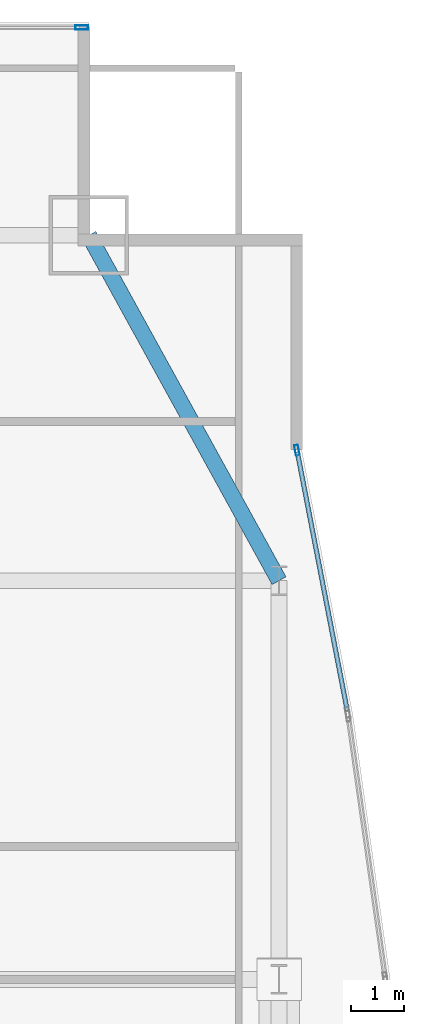
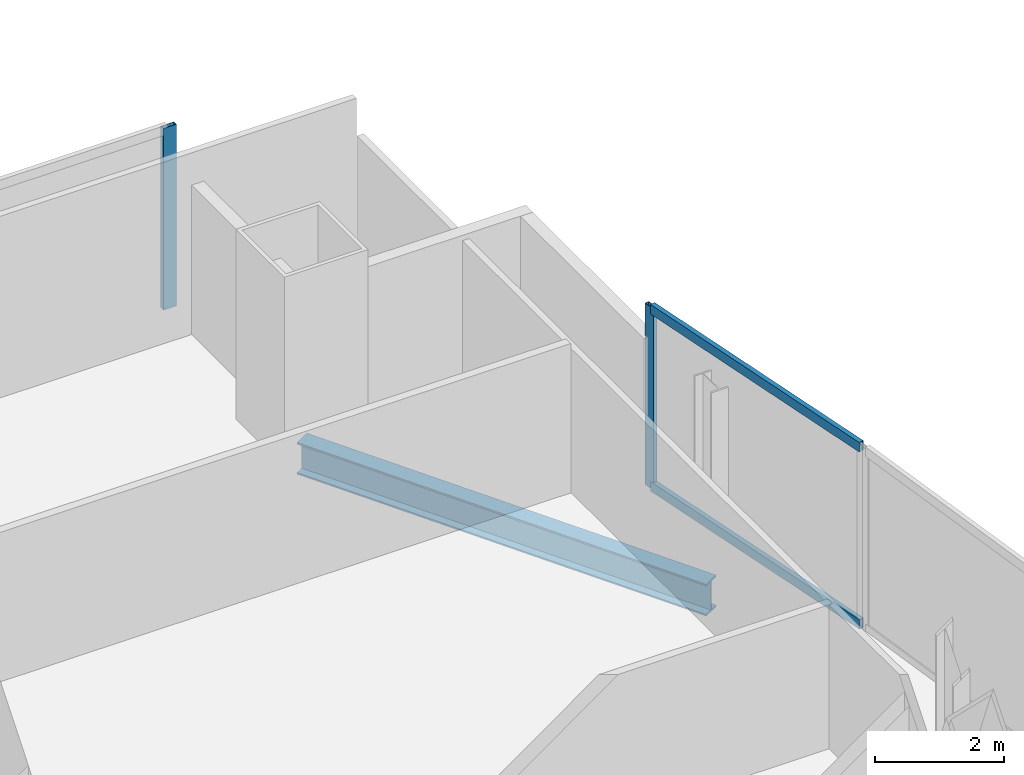
# One storey, part 24 of 33: 4 members, 1 beam, 2 elements without a shape of their own.
"""IFC4 building model written with IfcOpenShell, lengths in metres."""

from ifc_helpers import new_model, si_unit, direction, frame, origin, origin_2d, place, context, subcontext, project, spatial, hollow_rectangle, i_section, extrude, material, material_profile, profile_set, type_object, element, aggregate, save


model = new_model("IFC4")

# Units and contexts
model_context = context("Model", 3, precision=1e-05, world=origin(), true_north=direction((0.0, 1.0)))
body_context = subcontext(model_context, "Body", "Model", "MODEL_VIEW")
ifc_project = project(units=[si_unit("LENGTHUNIT", "METRE"), si_unit("AREAUNIT", "SQUARE_METRE"), si_unit("VOLUMEUNIT", "CUBIC_METRE"), si_unit("PLANEANGLEUNIT", "RADIAN"), si_unit("MASSUNIT", "GRAM", prefix="KILO")], contexts=[model_context])

# Site, building, storey
site_placement = place(None, origin())
site = spatial("IfcSite", under=ifc_project, at=site_placement, CompositionType="ELEMENT")
building_placement = place(site_placement, origin())
building = spatial("IfcBuilding", under=site, at=building_placement, Name="Khoronbel Lancet Exchange", CompositionType="ELEMENT")
storey_placement = place(building_placement, frame((0.0, 0.0, 118.199951171875)))
storey = spatial("IfcBuildingStorey", under=building, at=storey_placement, Name="L28", CompositionType="ELEMENT", Elevation=118.199951171875)

# Beam
ifc_material_1 = material(Name="Steel S355", Category="steel")
ifc_material_profile_1 = material_profile(ifc_material_1, i_section(OverallWidth=0.300048828125, OverallDepth=0.60009765625, WebThickness=0.015380859375, FlangeThickness=0.030029296875, at=origin_2d()), Name="HEB 600")
ifc_profile_set_1 = profile_set([ifc_material_profile_1], Name="Steel S355")
beam_type = type_object("IfcBeamType", Name="BM-BSP2", PredefinedType="SPANDREL", material=ifc_profile_set_1)
beam_placement = place(storey_placement, frame((69.6298828125, 43.199951171875, -0.4599609375), z_axis=(-0.482418808117, 0.875940690672, 0.0), x_axis=(-0.875940690672, -0.482418808117, 0.0)))
element("IfcBeam", 1, at=beam_placement, inside=storey, type_object=beam_type, Name="Level L28 perimeter spandrel beam SP15", PredefinedType="SPANDREL", context=body_context, shape_type="SweptSolid", body=[
    extrude(i_section(OverallWidth=0.300048828125, OverallDepth=0.60009765625, WebThickness=0.015380859375, FlangeThickness=0.030029296875, at=origin_2d()), origin(), (0.0, 0.0, 1.0), 7.420654296875),
])

# Curtain wall, member
ifc_material_2 = material(Name="Low-E Solar Control Insulating Glass", Category="glass")
curtain_wall_type_1 = type_object("IfcCurtainWallType", Name="CW-2", PredefinedType="NOTDEFINED", material=ifc_material_2)
curtain_wall_1_placement = place(storey_placement, origin())
curtain_wall_1 = element("IfcCurtainWall", 2, at=curtain_wall_1_placement, inside=storey, type_object=curtain_wall_type_1, Name="Unitised curtain wall CW-L28-NEFLK", PredefinedType="NOTDEFINED")
ifc_material_3 = material(Name="Bronze-Anodised Aluminium 6063-T6", Category="aluminium")
ifc_material_profile_2 = material_profile(ifc_material_3, hollow_rectangle(XDim=0.0849609375, YDim=0.239990234375, WallThickness=0.006103515625, at=origin_2d()), Name="ALU MULLION 85x240")
ifc_profile_set_2 = profile_set([ifc_material_profile_2], Name="Bronze-Anodised Aluminium 6063-T6")
member_type_1 = type_object("IfcMemberType", Name="MEM-CWM1", PredefinedType="MULLION", material=ifc_profile_set_2)
member_1_placement = place(storey_placement, frame((65.91748046875, 53.610107421875, 0.0), z_axis=(0.0, 0.0, 1.0), x_axis=(0.0, -1.0, 0.0)))
member_1 = element("IfcMember", 3, at=member_1_placement, type_object=member_type_1, Name="CW2 mullion 1", PredefinedType="MULLION", context=body_context, shape_type="SweptSolid", body=[
    extrude(hollow_rectangle(XDim=0.0849609375, YDim=0.239990234375, WallThickness=0.006103515625, at=origin_2d()), origin(), (0.0, 0.0, 1.0), 3.43994140625),
])
aggregate(curtain_wall_1, [member_1])

# Curtain wall, members
curtain_wall_type_2 = type_object("IfcCurtainWallType", Name="CW-4", PredefinedType="NOTDEFINED", material=ifc_material_2)
curtain_wall_2_placement = place(storey_placement, origin())
curtain_wall_2 = element("IfcCurtainWall", 4, at=curtain_wall_2_placement, inside=storey, type_object=curtain_wall_type_2, Name="Unitised curtain wall CW-L28-E17", PredefinedType="NOTDEFINED")
ifc_material_profile_3 = material_profile(ifc_material_3, hollow_rectangle(XDim=0.074951171875, YDim=0.199951171875, WallThickness=0.0048828125, at=origin_2d()), Name="ALU MULLION 75x200")
ifc_profile_set_3 = profile_set([ifc_material_profile_3], Name="Bronze-Anodised Aluminium 6063-T6")
member_type_2 = type_object("IfcMemberType", Name="MEM-CWM2", PredefinedType="MULLION", material=ifc_profile_set_3)
member_2_placement = place(storey_placement, frame((69.967041015625, 45.654541015625, 0.0), z_axis=(0.0, 0.0, 1.0), x_axis=(0.981872742913, 0.189541332498, 0.0)))
member_2 = element("IfcMember", 5, at=member_2_placement, type_object=member_type_2, Name="CW4 mullion 1", PredefinedType="MULLION", context=body_context, shape_type="SweptSolid", body=[
    extrude(hollow_rectangle(XDim=0.074951171875, YDim=0.199951171875, WallThickness=0.0048828125, at=origin_2d()), origin(), (0.0, 0.0, 1.0), 3.43994140625),
])
ifc_material_profile_4 = material_profile(ifc_material_3, hollow_rectangle(XDim=0.0849609375, YDim=0.179931640625, WallThickness=0.0048828125, at=origin_2d()), Name="ALU TRANSOM 85x180")
ifc_profile_set_4 = profile_set([ifc_material_profile_4], Name="Bronze-Anodised Aluminium 6063-T6")
member_type_3 = type_object("IfcMemberType", Name="MEM-CWT1", PredefinedType="USERDEFINED", material=ifc_profile_set_4)
member_3_placement = place(storey_placement, frame((69.97412109375, 45.61767578125, 0.04248046875), z_axis=(0.189546345119, -0.98187177526, 0.0), x_axis=(0.98187177526, 0.189546345119, 0.0)))
member_3 = element("IfcMember", 6, at=member_3_placement, type_object=member_type_3, Name="CW4 transom 1.1", ObjectType="TRANSOM", PredefinedType="USERDEFINED", context=body_context, shape_type="SweptSolid", body=[
    extrude(hollow_rectangle(XDim=0.0849609375, YDim=0.179931640625, WallThickness=0.0048828125, at=origin_2d()), origin(), (0.0, 0.0, 1.0), 4.948486328125),
])
member_4_placement = place(storey_placement, frame((69.97412109375, 45.61767578125, 3.3974609375), z_axis=(0.189546345119, -0.98187177526, 0.0), x_axis=(0.98187177526, 0.189546345119, 0.0)))
member_4 = element("IfcMember", 7, at=member_4_placement, type_object=member_type_3, Name="CW4 transom 1.2", ObjectType="TRANSOM", PredefinedType="USERDEFINED", context=body_context, shape_type="SweptSolid", body=[
    extrude(hollow_rectangle(XDim=0.0849609375, YDim=0.179931640625, WallThickness=0.0048828125, at=origin_2d()), origin(), (0.0, 0.0, 1.0), 4.948486328125),
])
aggregate(curtain_wall_2, [member_2, member_3, member_4])

save(model, "model.ifc")
